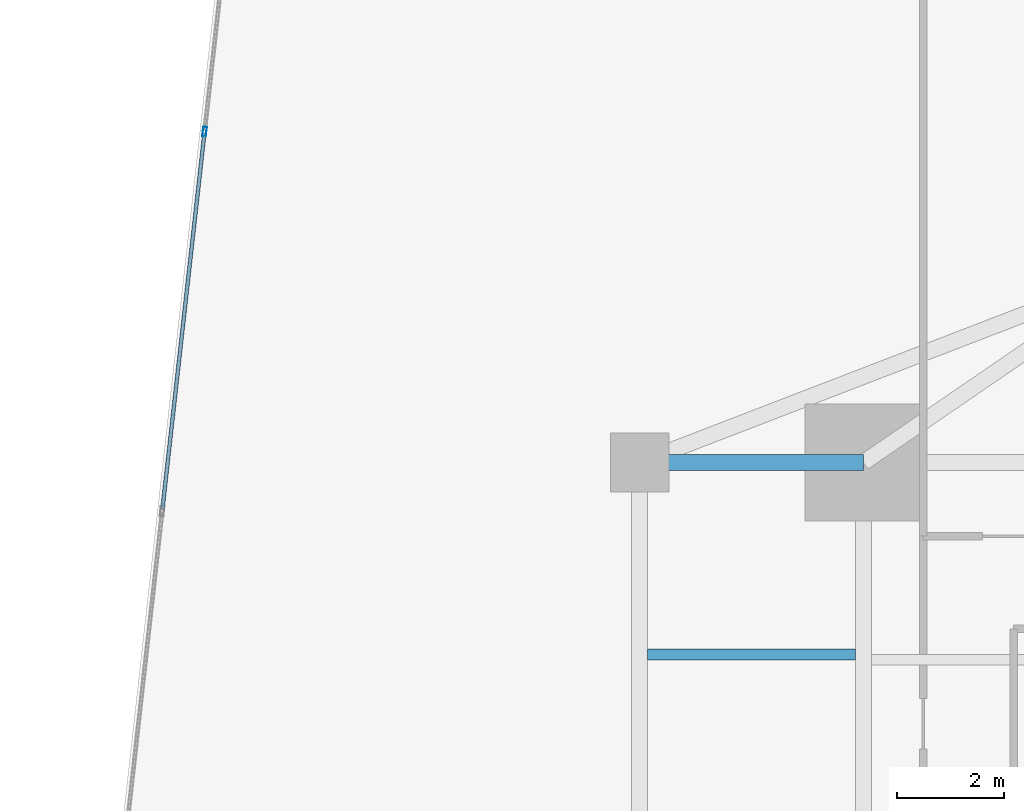
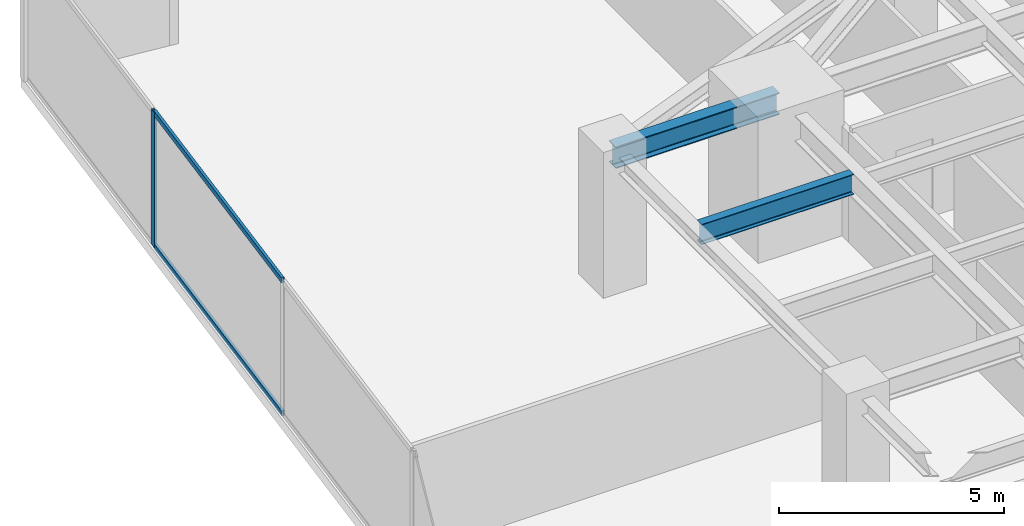
# One storey, part 16 of 28: 3 members, 2 beams, 1 element without a shape of its own.
"""IFC4 building model written with IfcOpenShell, lengths in metres."""

from ifc_helpers import new_model, si_unit, direction, frame, origin, origin_2d, place, context, subcontext, project, spatial, hollow_rectangle, i_section, extrude, source, transform, mapped, material, material_profile, profile_set, type_object, type_shapes, element, aggregate, save


model = new_model("IFC4")

# Units and contexts
model_context = context("Model", 3, precision=1e-05, world=origin(), true_north=direction((0.0, 1.0)))
body_context = subcontext(model_context, "Body", "Model", "MODEL_VIEW")
ifc_project = project(units=[si_unit("LENGTHUNIT", "METRE"), si_unit("AREAUNIT", "SQUARE_METRE"), si_unit("VOLUMEUNIT", "CUBIC_METRE"), si_unit("PLANEANGLEUNIT", "RADIAN"), si_unit("MASSUNIT", "GRAM", prefix="KILO")], contexts=[model_context])

# Site, building, storey
site_placement = place(None, origin())
site = spatial("IfcSite", under=ifc_project, at=site_placement, CompositionType="ELEMENT")
building_placement = place(site_placement, origin())
building = spatial("IfcBuilding", under=site, at=building_placement, Name="Krantzveldt Concourse Tower", CompositionType="ELEMENT")
storey_placement = place(building_placement, frame((0.0, 0.0, 64.5)))
storey = spatial("IfcBuildingStorey", under=building, at=storey_placement, Name="L15", CompositionType="ELEMENT", Elevation=64.5)

# Beams
ifc_material_1 = material(Name="Steel S355JR", Category="steel")
ifc_material_profile_1 = material_profile(ifc_material_1, i_section(OverallWidth=0.300048828125, OverallDepth=0.590087890625, WebThickness=0.012939453125, FlangeThickness=0.02490234375, FilletRadius=0.027099609375, at=origin_2d()), Name="Steel S355JR", Category="steel")
ifc_profile_set_1 = profile_set([ifc_material_profile_1], Name="Steel S355JR - HEA 600")
beam_type_1 = type_object("IfcBeamType", Name="BM-B-HEA600", PredefinedType="BEAM", material=ifc_profile_set_1)
shared_shape_1 = source(origin(), body_context, "Body", "SweptSolid", [
    extrude(i_section(OverallWidth=0.300048828125, OverallDepth=0.590087890625, WebThickness=0.012939453125, FlangeThickness=0.02490234375, FilletRadius=0.027099609375, at=origin_2d()), origin(), (0.0, 0.0, 1.0), 4.199951171875),
])
type_shapes(beam_type_1, [shared_shape_1])
beam_1_placement = place(storey_placement, frame((21.0, 37.5, 3.375), z_axis=(1.0, 0.0, 0.0), x_axis=(0.0, 1.0, 0.0)))
element("IfcBeam", 1, at=beam_1_placement, inside=storey, type_object=beam_type_1, Name="L15 Tower Girder BR-RL3", PredefinedType="BEAM", context=body_context, shape_type="MappedRepresentation", body=[
    mapped(shared_shape_1, transform((0.0, 0.0, 0.0), x_axis=(1.0, 0.0, 0.0), y_axis=(0.0, 1.0, 0.0), z_axis=(0.0, 0.0, 1.0), scale=1.0)),
])
ifc_material_profile_2 = material_profile(ifc_material_1, i_section(OverallWidth=0.2099609375, OverallDepth=0.550048828125, WebThickness=0.010986328125, FlangeThickness=0.01708984375, FilletRadius=0.02392578125, at=origin_2d()), Name="Steel S355JR", Category="steel")
ifc_profile_set_2 = profile_set([ifc_material_profile_2], Name="Steel S355JR - IPE 550")
beam_type_2 = type_object("IfcBeamType", Name="BM-J-IPE550", PredefinedType="JOIST", material=ifc_profile_set_2)
shared_shape_2 = source(origin(), body_context, "Body", "SweptSolid", [
    extrude(i_section(OverallWidth=0.2099609375, OverallDepth=0.550048828125, WebThickness=0.010986328125, FlangeThickness=0.01708984375, FilletRadius=0.02392578125, at=origin_2d()), origin(), (0.0, 0.0, 1.0), 3.900146484375),
])
type_shapes(beam_type_2, [shared_shape_2])
beam_2_placement = place(storey_placement, frame((21.14990234375, 33.89990234375, 3.39501953125), z_axis=(1.0, 0.0, 0.0), x_axis=(0.0, 1.0, 0.0)))
element("IfcBeam", 2, at=beam_2_placement, inside=storey, type_object=beam_type_2, Name="L15 Secondary Floor Joist JW-4", PredefinedType="JOIST", context=body_context, shape_type="MappedRepresentation", body=[
    mapped(shared_shape_2, transform((0.0, 0.0, 0.0), x_axis=(1.0, 0.0, 0.0), y_axis=(0.0, 1.0, 0.0), z_axis=(0.0, 0.0, 1.0), scale=1.0)),
])

# Curtain wall, members
ifc_material_2 = material(Name="Anodised aluminium 6063-T6", Category="aluminium")
curtain_wall_type = type_object("IfcCurtainWallType", Name="CW2", PredefinedType="USERDEFINED", material=ifc_material_2)
curtain_wall_placement = place(storey_placement, origin())
curtain_wall = element("IfcCurtainWall", 3, at=curtain_wall_placement, inside=storey, type_object=curtain_wall_type, Name="CW-L15-F01", ObjectType="UNITISED CURTAIN WALL", PredefinedType="USERDEFINED")
ifc_material_profile_3 = material_profile(ifc_material_2, hollow_rectangle(XDim=0.070068359375, YDim=0.179931640625, WallThickness=0.0048828125, at=origin_2d()), Name="Anodised aluminium 6063-T6", Category="aluminium")
ifc_profile_set_3 = profile_set([ifc_material_profile_3], Name="Anodised aluminium 6063-T6 - ALU-MULL 180x70x5")
member_type_1 = type_object("IfcMemberType", Name="CW-MUL-180", PredefinedType="MULLION", material=ifc_profile_set_3)
shared_shape_3 = source(origin(), body_context, "Body", "SweptSolid", [
    extrude(hollow_rectangle(XDim=0.070068359375, YDim=0.179931640625, WallThickness=0.0048828125, at=origin_2d()), origin(), (0.0, 0.0, 1.0), 3.669921875),
])
type_shapes(member_type_1, [shared_shape_3])
member_1_placement = place(storey_placement, frame((12.83544921875, 43.710693359375, 0.0), z_axis=(0.0, 0.0, 1.0), x_axis=(0.993816458223, -0.111035342863, 0.0)))
member_1 = element("IfcMember", 4, at=member_1_placement, type_object=member_type_1, Name="CW-Z12 mullion 2", PredefinedType="MULLION", context=body_context, shape_type="MappedRepresentation", body=[
    mapped(shared_shape_3, transform((0.0, 0.0, 0.0), x_axis=(1.0, 0.0, 0.0), y_axis=(0.0, 1.0, 0.0), z_axis=(0.0, 0.0, 1.0), scale=1.0)),
])
ifc_material_profile_4 = material_profile(ifc_material_2, hollow_rectangle(XDim=0.070068359375, YDim=0.139892578125, WallThickness=0.0048828125, at=origin_2d()), Name="Anodised aluminium 6063-T6", Category="aluminium")
ifc_profile_set_4 = profile_set([ifc_material_profile_4], Name="Anodised aluminium 6063-T6 - ALU-TRAN 140x70x5")
member_type_2 = type_object("IfcMemberType", Name="CW-TRN-150", PredefinedType="USERDEFINED", material=ifc_profile_set_4)
shared_shape_4 = source(origin(), body_context, "Body", "SweptSolid", [
    extrude(hollow_rectangle(XDim=0.070068359375, YDim=0.139892578125, WallThickness=0.0048828125, at=origin_2d()), origin(), (0.0, 0.0, 1.0), 7.0966796875),
])
type_shapes(member_type_2, [shared_shape_4])
member_2_placement = place(storey_placement, frame((12.83154296875, 43.67578125, 0.034912109375), z_axis=(-0.111016768449, -0.993818533296, 0.0), x_axis=(0.993818533296, -0.111016768449, 0.0)))
member_2 = element("IfcMember", 5, at=member_2_placement, type_object=member_type_2, Name="CW-Z12 transom 2.1", ObjectType="TRANSOM", PredefinedType="USERDEFINED", context=body_context, shape_type="MappedRepresentation", body=[
    mapped(shared_shape_4, transform((0.0, 0.0, 0.0), x_axis=(1.0, 0.0, 0.0), y_axis=(0.0, 1.0, 0.0), z_axis=(0.0, 0.0, 1.0), scale=1.0)),
])
member_3_placement = place(storey_placement, frame((12.83154296875, 43.67578125, 3.635009765625), z_axis=(-0.111016768449, -0.993818533296, 0.0), x_axis=(0.993818533296, -0.111016768449, 0.0)))
member_3 = element("IfcMember", 6, at=member_3_placement, type_object=member_type_2, Name="CW-Z12 transom 2.2", ObjectType="TRANSOM", PredefinedType="USERDEFINED", context=body_context, shape_type="MappedRepresentation", body=[
    mapped(shared_shape_4, transform((0.0, 0.0, 0.0), x_axis=(1.0, 0.0, 0.0), y_axis=(0.0, 1.0, 0.0), z_axis=(0.0, 0.0, 1.0), scale=1.0)),
])
aggregate(curtain_wall, [member_1, member_2, member_3])

save(model, "model.ifc")
